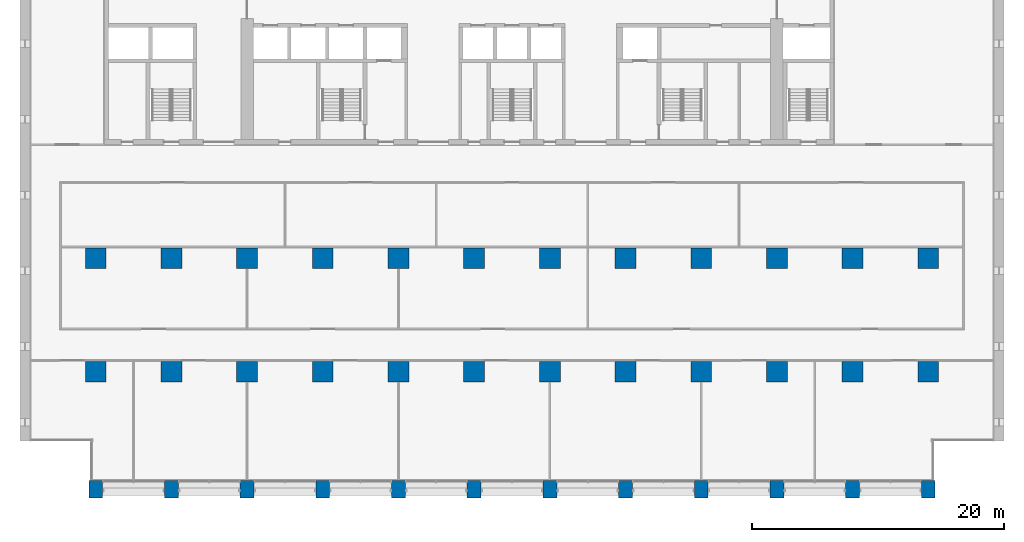
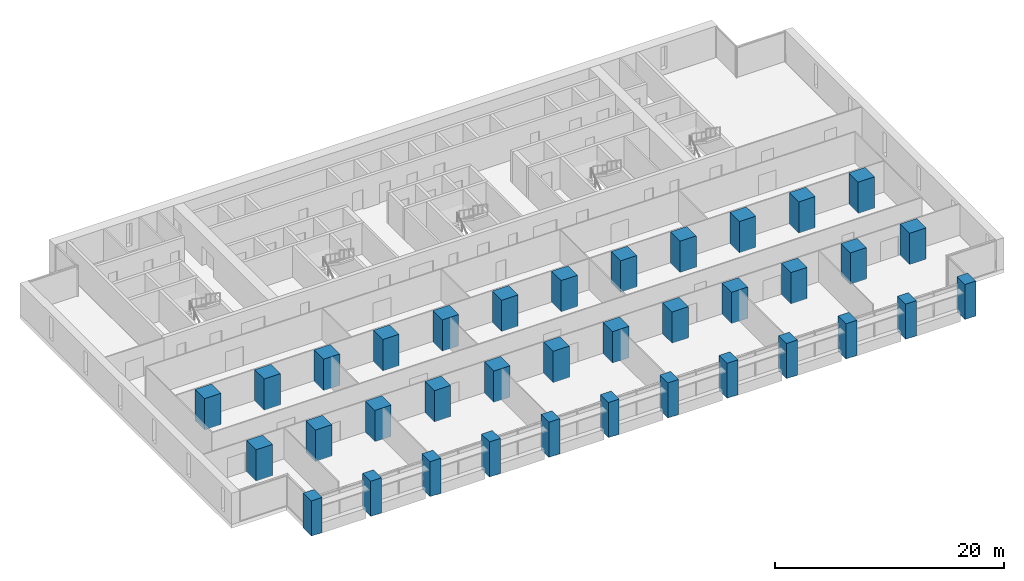
# One storey, part 1 of 18: 36 columns.
"""IFC4 building model written with IfcOpenShell, lengths in metres."""

from ifc_helpers import new_model, si_unit, direction, frame, origin, origin_2d, place, context, subcontext, project, spatial, rectangle, extrude, material, material_profile, profile_set, type_object, element, save


model = new_model("IFC4")

# Units and contexts
model_context = context("Model", 3, precision=1e-05, world=origin(), true_north=direction((0.0, 1.0)))
body_context = subcontext(model_context, "Body", "Model", "MODEL_VIEW")
ifc_project = project(units=[si_unit("LENGTHUNIT", "METRE"), si_unit("AREAUNIT", "SQUARE_METRE"), si_unit("VOLUMEUNIT", "CUBIC_METRE"), si_unit("PLANEANGLEUNIT", "RADIAN"), si_unit("MASSUNIT", "GRAM", prefix="KILO")], contexts=[model_context])

# Site, building, storey
site_placement = place(None, origin())
site = spatial("IfcSite", under=ifc_project, at=site_placement, CompositionType="ELEMENT")
building_placement = place(site_placement, origin())
building = spatial("IfcBuilding", under=site, at=building_placement, Name="Calvaro Tower", CompositionType="ELEMENT")
storey_placement = place(building_placement, frame((0.0, 0.0, 56.25)))
storey = spatial("IfcBuildingStorey", under=building, at=storey_placement, Name="L13", CompositionType="ELEMENT", Elevation=56.25)

# Columns
ifc_material_1 = material(Name="Concrete C80/95", Category="concrete")
ifc_material_profile_1 = material_profile(ifc_material_1, rectangle(XDim=1.64990234375, YDim=1.64990234375, at=origin_2d()), Name="RC 1650x1650")
ifc_profile_set_1 = profile_set([ifc_material_profile_1], Name="Concrete C80/95")
column_type_1 = type_object("IfcColumnType", Name="Column 1650x1650 C80/95", PredefinedType="COLUMN", material=ifc_profile_set_1)
for number, where, z_axis, x_axis, name in (
    (1, (6.0, 10.0, 0.0), (0.0, 0.0, 1.0), (1.0, 0.0, 0.0), "Column 2B"),
    (2, (6.0, 19.0, 0.0), (0.0, 0.0, 1.0), (1.0, 0.0, 0.0), "Column 2C"),
    (3, (12.0, 10.0, 0.0), (0.0, 0.0, 1.0), (1.0, 0.0, 0.0), "Column 3B"),
    (4, (12.0, 19.0, 0.0), (0.0, 0.0, 1.0), (1.0, 0.0, 0.0), "Column 3C"),
    (5, (18.0, 10.0, 0.0), (0.0, 0.0, 1.0), (1.0, 0.0, 0.0), "Column 4B"),
    (6, (18.0, 19.0, 0.0), (0.0, 0.0, 1.0), (1.0, 0.0, 0.0), "Column 4C"),
    (7, (24.0, 10.0, 0.0), (0.0, 0.0, 1.0), (1.0, 0.0, 0.0), "Column 5B"),
    (8, (24.0, 19.0, 0.0), (0.0, 0.0, 1.0), (1.0, 0.0, 0.0), "Column 5C"),
    (9, (30.0, 10.0, 0.0), (0.0, 0.0, 1.0), (1.0, 0.0, 0.0), "Column 6B"),
    (10, (30.0, 19.0, 0.0), (0.0, 0.0, 1.0), (1.0, 0.0, 0.0), "Column 6C"),
    (11, (36.0, 10.0, 0.0), (0.0, 0.0, 1.0), (1.0, 0.0, 0.0), "Column 7B"),
    (12, (36.0, 19.0, 0.0), (0.0, 0.0, 1.0), (1.0, 0.0, 0.0), "Column 7C"),
    (13, (42.0, 10.0, 0.0), (0.0, 0.0, 1.0), (1.0, 0.0, 0.0), "Column 8B"),
    (14, (42.0, 19.0, 0.0), (0.0, 0.0, 1.0), (1.0, 0.0, 0.0), "Column 8C"),
    (15, (48.0, 10.0, 0.0), (0.0, 0.0, 1.0), (1.0, 0.0, 0.0), "Column 9B"),
    (16, (48.0, 19.0, 0.0), (0.0, 0.0, 1.0), (1.0, 0.0, 0.0), "Column 9C"),
    (17, (54.0, 10.0, 0.0), (0.0, 0.0, 1.0), (1.0, 0.0, 0.0), "Column 10B"),
    (18, (54.0, 19.0, 0.0), (0.0, 0.0, 1.0), (1.0, 0.0, 0.0), "Column 10C"),
    (19, (60.0, 10.0, 0.0), (0.0, 0.0, 1.0), (1.0, 0.0, 0.0), "Column 11B"),
    (20, (60.0, 19.0, 0.0), (0.0, 0.0, 1.0), (1.0, 0.0, 0.0), "Column 11C"),
    (21, (66.0, 10.0, 0.0), (0.0, 0.0, 1.0), (1.0, 0.0, 0.0), "Column 12B"),
    (22, (66.0, 19.0, 0.0), (0.0, 0.0, 1.0), (1.0, 0.0, 0.0), "Column 12C"),
    (23, (72.0, 10.0, 0.0), (0.0, 0.0, 1.0), (1.0, 0.0, 0.0), "Column 13B"),
    (24, (72.0, 19.0, 0.0), (0.0, 0.0, 1.0), (1.0, 0.0, 0.0), "Column 13C"),
):
    element("IfcColumn", number, at=place(storey_placement, frame(where, z_axis=z_axis, x_axis=x_axis)), inside=storey, type_object=column_type_1, Name=name, PredefinedType="COLUMN", context=body_context, shape_type="SweptSolid", body=[
        extrude(rectangle(XDim=1.64990234375, YDim=1.64990234375, at=origin_2d()), origin(), (0.0, 0.0, 1.0), 3.35009765625),
    ])
ifc_material_2 = material(Name="Concrete C80/95", Category="concrete")
ifc_material_profile_2 = material_profile(ifc_material_2, rectangle(XDim=1.10009765625, YDim=1.39990234375, at=origin_2d()), Name="RC 1100x1400")
ifc_profile_set_2 = profile_set([ifc_material_profile_2], Name="Concrete C80/95")
column_type_2 = type_object("IfcColumnType", Name="Pier 1100x1400 C80/95", PredefinedType="COLUMN", material=ifc_profile_set_2)
for number, where, z_axis, x_axis, name in (
    (25, (6.0, 0.699951171875, -0.39990234375), (0.0, 0.0, 1.0), (1.0, 0.0, 0.0), "South pier 2"),
    (26, (12.0, 0.699951171875, -0.39990234375), (0.0, 0.0, 1.0), (1.0, 0.0, 0.0), "South pier 3"),
    (27, (18.0, 0.699951171875, -0.39990234375), (0.0, 0.0, 1.0), (1.0, 0.0, 0.0), "South pier 4"),
    (28, (24.0, 0.699951171875, -0.39990234375), (0.0, 0.0, 1.0), (1.0, 0.0, 0.0), "South pier 5"),
    (29, (30.0, 0.699951171875, -0.39990234375), (0.0, 0.0, 1.0), (1.0, 0.0, 0.0), "South pier 6"),
    (30, (36.0, 0.699951171875, -0.39990234375), (0.0, 0.0, 1.0), (1.0, 0.0, 0.0), "South pier 7"),
    (31, (42.0, 0.699951171875, -0.39990234375), (0.0, 0.0, 1.0), (1.0, 0.0, 0.0), "South pier 8"),
    (32, (48.0, 0.699951171875, -0.39990234375), (0.0, 0.0, 1.0), (1.0, 0.0, 0.0), "South pier 9"),
    (33, (54.0, 0.699951171875, -0.39990234375), (0.0, 0.0, 1.0), (1.0, 0.0, 0.0), "South pier 10"),
    (34, (60.0, 0.699951171875, -0.39990234375), (0.0, 0.0, 1.0), (1.0, 0.0, 0.0), "South pier 11"),
    (35, (66.0, 0.699951171875, -0.39990234375), (0.0, 0.0, 1.0), (1.0, 0.0, 0.0), "South pier 12"),
    (36, (72.0, 0.699951171875, -0.39990234375), (0.0, 0.0, 1.0), (1.0, 0.0, 0.0), "South pier 13"),
):
    element("IfcColumn", number, at=place(storey_placement, frame(where, z_axis=z_axis, x_axis=x_axis)), inside=storey, type_object=column_type_2, Name=name, PredefinedType="COLUMN", context=body_context, shape_type="SweptSolid", body=[
        extrude(rectangle(XDim=1.10009765625, YDim=1.39990234375, at=origin_2d()), origin(), (0.0, 0.0, 1.0), 3.75),
    ])

save(model, "model.ifc")
